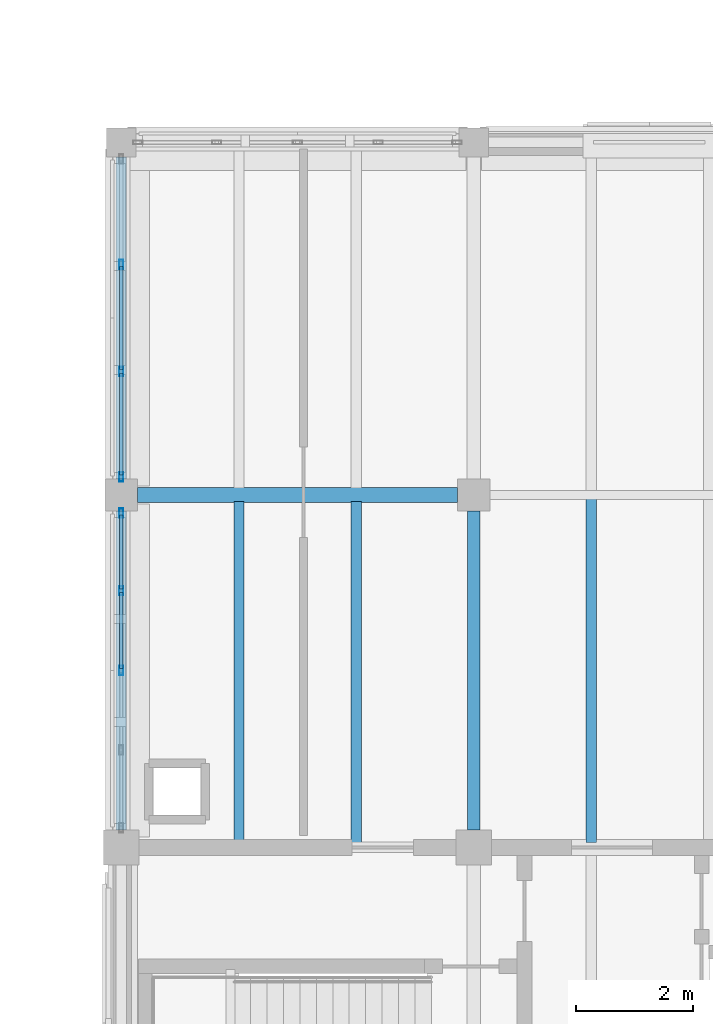
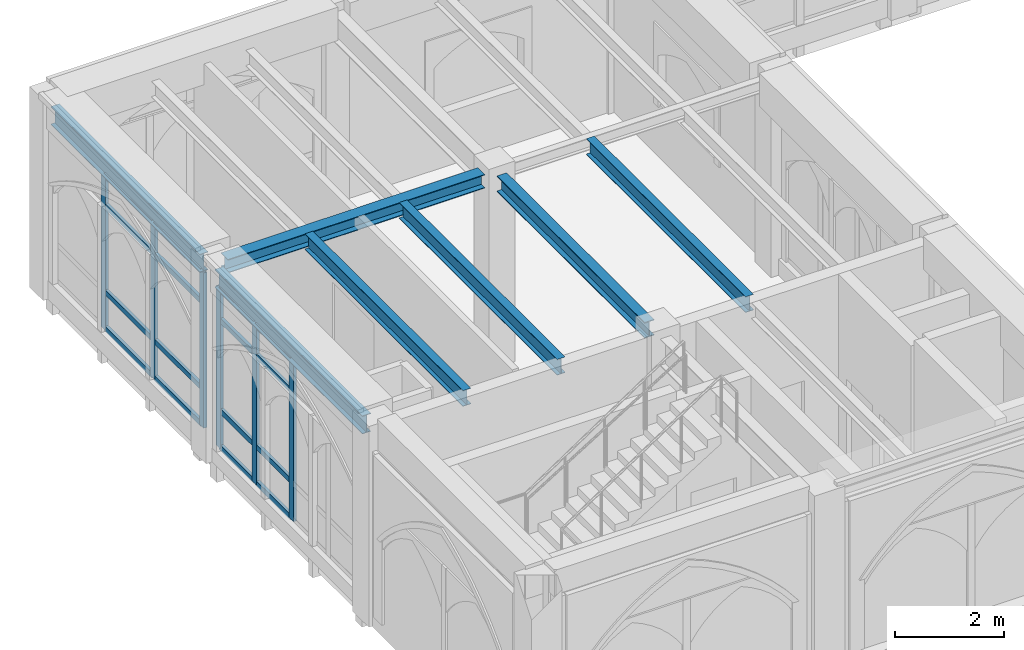
# One storey, part 18 of 143: 22 members, 7 beams, 2 elements without a shape of their own.
"""IFC4 building model written with IfcOpenShell, lengths in metres."""

from ifc_helpers import new_model, si_unit, direction, frame, origin, origin_2d, place, context, subcontext, project, spatial, hollow_rectangle, i_section, extrude, material, layer, layer_set, material_profile, profile_set, type_object, element, aggregate, save


model = new_model("IFC4")

# Units and contexts
model_context = context("Model", 3, precision=1e-05, world=origin(), true_north=direction((0.0, 1.0)))
body_context = subcontext(model_context, "Body", "Model", "MODEL_VIEW")
ifc_project = project(units=[si_unit("LENGTHUNIT", "METRE"), si_unit("AREAUNIT", "SQUARE_METRE"), si_unit("VOLUMEUNIT", "CUBIC_METRE"), si_unit("PLANEANGLEUNIT", "RADIAN"), si_unit("MASSUNIT", "GRAM", prefix="KILO")], contexts=[model_context])

# Site, building, storey
site_placement = place(None, origin())
site = spatial("IfcSite", under=ifc_project, at=site_placement, CompositionType="ELEMENT")
building_placement = place(site_placement, origin())
building = spatial("IfcBuilding", under=site, at=building_placement, Name="Cumevento Cable Car Station", CompositionType="ELEMENT")
storey_placement = place(building_placement, frame((0.0, 0.0, 9.0)))
storey = spatial("IfcBuildingStorey", under=building, at=storey_placement, Name="L03", CompositionType="ELEMENT", Elevation=9.0)

# Curtain wall, members
ifc_material_1 = material(Name="Anodised Bronze Aluminium AW-6063-T6", Category="aluminium")
ifc_layer_1 = layer(ifc_material_1, 0.22607421875)
ifc_layer_set_1 = layer_set([ifc_layer_1], Name="Anodised Bronze Aluminium AW-6063-T6")
curtain_wall_type_1 = type_object("IfcCurtainWallType", Name="Lancet Curtain Wall CW-12 1490", PredefinedType="NOTDEFINED", material=ifc_layer_set_1)
curtain_wall_1_placement = place(storey_placement, origin())
curtain_wall_1 = element("IfcCurtainWall", 1, at=curtain_wall_1_placement, inside=storey, type_object=curtain_wall_type_1, Name="Lancet Curtain Wall CW-12 L03 #91", PredefinedType="NOTDEFINED")
ifc_material_2 = material(Name="Anodised Bronze Aluminium AW-6063-T6", Category="aluminium")
ifc_material_profile_1 = material_profile(ifc_material_2, hollow_rectangle(XDim=0.06494140625, YDim=0.159912109375, WallThickness=0.00390625, at=origin_2d()), Name="ALUM65x160x4")
ifc_profile_set_1 = profile_set([ifc_material_profile_1], Name="Anodised Bronze Aluminium AW-6063-T6")
member_type_1 = type_object("IfcMemberType", Name="Curtain Mullion CWM-01 ALUM65x160x4", PredefinedType="MULLION", material=ifc_profile_set_1)
member_1_placement = place(storey_placement, frame((10.0, 36.012451171875, 0.31005859375), z_axis=(0.0, 0.0, 1.0), x_axis=(-1.0, 0.0, 0.0)))
member_1 = element("IfcMember", 2, at=member_1_placement, type_object=member_type_1, Name="CW-12 mullion 3", PredefinedType="MULLION", context=body_context, shape_type="SweptSolid", body=[
    extrude(hollow_rectangle(XDim=0.06494140625, YDim=0.159912109375, WallThickness=0.00390625, at=origin_2d()), origin(), (0.0, 0.0, 1.0), 3.5830078125),
])
member_2_placement = place(storey_placement, frame((10.0, 37.36865234375, 0.31005859375), z_axis=(0.0, 0.0, 1.0), x_axis=(-1.0, 0.0, 0.0)))
member_2 = element("IfcMember", 3, at=member_2_placement, type_object=member_type_1, Name="CW-12 mullion 4", PredefinedType="MULLION", context=body_context, shape_type="SweptSolid", body=[
    extrude(hollow_rectangle(XDim=0.06494140625, YDim=0.159912109375, WallThickness=0.00390625, at=origin_2d()), origin(), (0.0, 0.0, 1.0), 3.5830078125),
])
member_3_placement = place(storey_placement, frame((10.0, 38.6923828125, 0.31005859375), z_axis=(0.0, 0.0, 1.0), x_axis=(-1.0, 0.0, 0.0)))
member_3 = element("IfcMember", 4, at=member_3_placement, type_object=member_type_1, Name="CW-12 mullion 5", PredefinedType="MULLION", context=body_context, shape_type="SweptSolid", body=[
    extrude(hollow_rectangle(XDim=0.06494140625, YDim=0.159912109375, WallThickness=0.00390625, at=origin_2d()), origin(), (0.0, 0.0, 1.0), 3.5830078125),
])

ifc_material_3 = material(Name="Anodised Bronze Aluminium AW-6063-T6", Category="aluminium")
ifc_layer_2 = layer(ifc_material_3, 0.238037109375)
ifc_layer_set_2 = layer_set([ifc_layer_2], Name="Anodised Bronze Aluminium AW-6063-T6")
curtain_wall_type_2 = type_object("IfcCurtainWallType", Name="Lancet Curtain Wall CW-14 1570", PredefinedType="NOTDEFINED", material=ifc_layer_set_2)
curtain_wall_2_placement = place(storey_placement, origin())
curtain_wall_2 = element("IfcCurtainWall", 5, at=curtain_wall_2_placement, inside=storey, type_object=curtain_wall_type_2, Name="Lancet Curtain Wall CW-14 L03 #93", PredefinedType="NOTDEFINED")
member_4_placement = place(storey_placement, frame((10.0, 39.3076171875, 0.409912109375), z_axis=(0.0, 0.0, 1.0), x_axis=(-1.0, 0.0, 0.0)))
member_4 = element("IfcMember", 6, at=member_4_placement, type_object=member_type_1, Name="CW-14 mullion 1", PredefinedType="MULLION", context=body_context, shape_type="SweptSolid", body=[
    extrude(hollow_rectangle(XDim=0.06494140625, YDim=0.159912109375, WallThickness=0.00390625, at=origin_2d()), origin(), (0.0, 0.0, 1.0), 3.483154296875),
])
member_5_placement = place(storey_placement, frame((10.0, 41.10009765625, 0.409912109375), z_axis=(0.0, 0.0, 1.0), x_axis=(-1.0, 0.0, 0.0)))
member_5 = element("IfcMember", 7, at=member_5_placement, type_object=member_type_1, Name="CW-14 mullion 2", PredefinedType="MULLION", context=body_context, shape_type="SweptSolid", body=[
    extrude(hollow_rectangle(XDim=0.06494140625, YDim=0.159912109375, WallThickness=0.00390625, at=origin_2d()), origin(), (0.0, 0.0, 1.0), 3.483154296875),
])
member_6_placement = place(storey_placement, frame((10.0, 42.925048828125, 0.409912109375), z_axis=(0.0, 0.0, 1.0), x_axis=(-1.0, 0.0, 0.0)))
member_6 = element("IfcMember", 8, at=member_6_placement, type_object=member_type_1, Name="CW-14 mullion 3", PredefinedType="MULLION", context=body_context, shape_type="SweptSolid", body=[
    extrude(hollow_rectangle(XDim=0.06494140625, YDim=0.159912109375, WallThickness=0.00390625, at=origin_2d()), origin(), (0.0, 0.0, 1.0), 3.483154296875),
])

# Member
ifc_material_4 = material(Name="Anodised Bronze Aluminium AW-6063-T6", Category="aluminium")
ifc_material_profile_2 = material_profile(ifc_material_4, hollow_rectangle(XDim=0.06494140625, YDim=0.1201171875, WallThickness=0.00390625, at=origin_2d()), Name="ALUT65x120x4")
ifc_profile_set_2 = profile_set([ifc_material_profile_2], Name="Anodised Bronze Aluminium AW-6063-T6")
member_type_2 = type_object("IfcMemberType", Name="Curtain Transom CWT-01 ALUT65x120x4", PredefinedType="USERDEFINED", material=ifc_profile_set_2)
member_7_placement = place(storey_placement, frame((10.0, 36.044921875, 0.342529296875), z_axis=(0.0, 1.0, 0.0), x_axis=(-1.0, 0.0, 0.0)))
member_7 = element("IfcMember", 9, at=member_7_placement, type_object=member_type_2, Name="CW-12 transom 3.1", ObjectType="TRANSOM", PredefinedType="USERDEFINED", context=body_context, shape_type="SweptSolid", body=[
    extrude(hollow_rectangle(XDim=0.06494140625, YDim=0.1201171875, WallThickness=0.00390625, at=origin_2d()), origin(), (0.0, 0.0, 1.0), 1.291259765625),
])

member_8_placement = place(storey_placement, frame((10.0, 36.044921875, 1.159912109375), z_axis=(0.0, 1.0, 0.0), x_axis=(-1.0, 0.0, 0.0)))
member_8 = element("IfcMember", 10, at=member_8_placement, type_object=member_type_2, Name="CW-12 transom 3.2", ObjectType="TRANSOM", PredefinedType="USERDEFINED", context=body_context, shape_type="SweptSolid", body=[
    extrude(hollow_rectangle(XDim=0.06494140625, YDim=0.1201171875, WallThickness=0.00390625, at=origin_2d()), origin(), (0.0, 0.0, 1.0), 1.291259765625),
])

member_9_placement = place(storey_placement, frame((10.0, 36.044921875, 3.193115234375), z_axis=(0.0, 1.0, 0.0), x_axis=(-1.0, 0.0, 0.0)))
member_9 = element("IfcMember", 11, at=member_9_placement, type_object=member_type_2, Name="CW-12 transom 3.3", ObjectType="TRANSOM", PredefinedType="USERDEFINED", context=body_context, shape_type="SweptSolid", body=[
    extrude(hollow_rectangle(XDim=0.06494140625, YDim=0.1201171875, WallThickness=0.00390625, at=origin_2d()), origin(), (0.0, 0.0, 1.0), 1.291259765625),
])

member_10_placement = place(storey_placement, frame((10.0, 36.044921875, 3.860595703125), z_axis=(0.0, 1.0, 0.0), x_axis=(-1.0, 0.0, 0.0)))
member_10 = element("IfcMember", 12, at=member_10_placement, type_object=member_type_2, Name="CW-12 transom 3.4", ObjectType="TRANSOM", PredefinedType="USERDEFINED", context=body_context, shape_type="SweptSolid", body=[
    extrude(hollow_rectangle(XDim=0.06494140625, YDim=0.1201171875, WallThickness=0.00390625, at=origin_2d()), origin(), (0.0, 0.0, 1.0), 1.291259765625),
])

member_11_placement = place(storey_placement, frame((10.0, 37.4013671875, 0.342529296875), z_axis=(0.0, 1.0, 0.0), x_axis=(-1.0, 0.0, 0.0)))
member_11 = element("IfcMember", 13, at=member_11_placement, type_object=member_type_2, Name="CW-12 transom 4.1", ObjectType="TRANSOM", PredefinedType="USERDEFINED", context=body_context, shape_type="SweptSolid", body=[
    extrude(hollow_rectangle(XDim=0.06494140625, YDim=0.1201171875, WallThickness=0.00390625, at=origin_2d()), origin(), (0.0, 0.0, 1.0), 1.258544921875),
])

member_12_placement = place(storey_placement, frame((10.0, 37.4013671875, 1.159912109375), z_axis=(0.0, 1.0, 0.0), x_axis=(-1.0, 0.0, 0.0)))
member_12 = element("IfcMember", 14, at=member_12_placement, type_object=member_type_2, Name="CW-12 transom 4.2", ObjectType="TRANSOM", PredefinedType="USERDEFINED", context=body_context, shape_type="SweptSolid", body=[
    extrude(hollow_rectangle(XDim=0.06494140625, YDim=0.1201171875, WallThickness=0.00390625, at=origin_2d()), origin(), (0.0, 0.0, 1.0), 1.258544921875),
])

member_13_placement = place(storey_placement, frame((10.0, 37.4013671875, 3.193115234375), z_axis=(0.0, 1.0, 0.0), x_axis=(-1.0, 0.0, 0.0)))
member_13 = element("IfcMember", 15, at=member_13_placement, type_object=member_type_2, Name="CW-12 transom 4.3", ObjectType="TRANSOM", PredefinedType="USERDEFINED", context=body_context, shape_type="SweptSolid", body=[
    extrude(hollow_rectangle(XDim=0.06494140625, YDim=0.1201171875, WallThickness=0.00390625, at=origin_2d()), origin(), (0.0, 0.0, 1.0), 1.258544921875),
])

member_14_placement = place(storey_placement, frame((10.0, 37.4013671875, 3.860595703125), z_axis=(0.0, 1.0, 0.0), x_axis=(-1.0, 0.0, 0.0)))
member_14 = element("IfcMember", 16, at=member_14_placement, type_object=member_type_2, Name="CW-12 transom 4.4", ObjectType="TRANSOM", PredefinedType="USERDEFINED", context=body_context, shape_type="SweptSolid", body=[
    extrude(hollow_rectangle(XDim=0.06494140625, YDim=0.1201171875, WallThickness=0.00390625, at=origin_2d()), origin(), (0.0, 0.0, 1.0), 1.258544921875),
])

aggregate(curtain_wall_1, [member_1, member_2, member_3, member_7, member_8, member_9, member_10, member_11, member_12, member_13, member_14])

member_15_placement = place(storey_placement, frame((10.0, 39.340087890625, 0.4423828125), z_axis=(0.0, 1.0, 0.0), x_axis=(-1.0, 0.0, 0.0)))
member_15 = element("IfcMember", 17, at=member_15_placement, type_object=member_type_2, Name="CW-14 transom 1.1", ObjectType="TRANSOM", PredefinedType="USERDEFINED", context=body_context, shape_type="SweptSolid", body=[
    extrude(hollow_rectangle(XDim=0.06494140625, YDim=0.1201171875, WallThickness=0.00390625, at=origin_2d()), origin(), (0.0, 0.0, 1.0), 1.727294921875),
])

member_16_placement = place(storey_placement, frame((10.0, 39.340087890625, 1.260009765625), z_axis=(0.0, 1.0, 0.0), x_axis=(-1.0, 0.0, 0.0)))
member_16 = element("IfcMember", 18, at=member_16_placement, type_object=member_type_2, Name="CW-14 transom 1.2", ObjectType="TRANSOM", PredefinedType="USERDEFINED", context=body_context, shape_type="SweptSolid", body=[
    extrude(hollow_rectangle(XDim=0.06494140625, YDim=0.1201171875, WallThickness=0.00390625, at=origin_2d()), origin(), (0.0, 0.0, 1.0), 1.727294921875),
])

member_17_placement = place(storey_placement, frame((10.0, 39.340087890625, 3.193115234375), z_axis=(0.0, 1.0, 0.0), x_axis=(-1.0, 0.0, 0.0)))
member_17 = element("IfcMember", 19, at=member_17_placement, type_object=member_type_2, Name="CW-14 transom 1.3", ObjectType="TRANSOM", PredefinedType="USERDEFINED", context=body_context, shape_type="SweptSolid", body=[
    extrude(hollow_rectangle(XDim=0.06494140625, YDim=0.1201171875, WallThickness=0.00390625, at=origin_2d()), origin(), (0.0, 0.0, 1.0), 1.727294921875),
])

member_18_placement = place(storey_placement, frame((10.0, 39.340087890625, 3.860595703125), z_axis=(0.0, 1.0, 0.0), x_axis=(-1.0, 0.0, 0.0)))
member_18 = element("IfcMember", 20, at=member_18_placement, type_object=member_type_2, Name="CW-14 transom 1.4", ObjectType="TRANSOM", PredefinedType="USERDEFINED", context=body_context, shape_type="SweptSolid", body=[
    extrude(hollow_rectangle(XDim=0.06494140625, YDim=0.1201171875, WallThickness=0.00390625, at=origin_2d()), origin(), (0.0, 0.0, 1.0), 1.727294921875),
])

member_19_placement = place(storey_placement, frame((10.0, 41.132568359375, 0.4423828125), z_axis=(0.0, 1.0, 0.0), x_axis=(-1.0, 0.0, 0.0)))
member_19 = element("IfcMember", 21, at=member_19_placement, type_object=member_type_2, Name="CW-14 transom 2.1", ObjectType="TRANSOM", PredefinedType="USERDEFINED", context=body_context, shape_type="SweptSolid", body=[
    extrude(hollow_rectangle(XDim=0.06494140625, YDim=0.1201171875, WallThickness=0.00390625, at=origin_2d()), origin(), (0.0, 0.0, 1.0), 1.760009765625),
])

member_20_placement = place(storey_placement, frame((10.0, 41.132568359375, 1.260009765625), z_axis=(0.0, 1.0, 0.0), x_axis=(-1.0, 0.0, 0.0)))
member_20 = element("IfcMember", 22, at=member_20_placement, type_object=member_type_2, Name="CW-14 transom 2.2", ObjectType="TRANSOM", PredefinedType="USERDEFINED", context=body_context, shape_type="SweptSolid", body=[
    extrude(hollow_rectangle(XDim=0.06494140625, YDim=0.1201171875, WallThickness=0.00390625, at=origin_2d()), origin(), (0.0, 0.0, 1.0), 1.760009765625),
])

member_21_placement = place(storey_placement, frame((10.0, 41.132568359375, 3.193115234375), z_axis=(0.0, 1.0, 0.0), x_axis=(-1.0, 0.0, 0.0)))
member_21 = element("IfcMember", 23, at=member_21_placement, type_object=member_type_2, Name="CW-14 transom 2.3", ObjectType="TRANSOM", PredefinedType="USERDEFINED", context=body_context, shape_type="SweptSolid", body=[
    extrude(hollow_rectangle(XDim=0.06494140625, YDim=0.1201171875, WallThickness=0.00390625, at=origin_2d()), origin(), (0.0, 0.0, 1.0), 1.760009765625),
])

member_22_placement = place(storey_placement, frame((10.0, 41.132568359375, 3.860595703125), z_axis=(0.0, 1.0, 0.0), x_axis=(-1.0, 0.0, 0.0)))
member_22 = element("IfcMember", 24, at=member_22_placement, type_object=member_type_2, Name="CW-14 transom 2.4", ObjectType="TRANSOM", PredefinedType="USERDEFINED", context=body_context, shape_type="SweptSolid", body=[
    extrude(hollow_rectangle(XDim=0.06494140625, YDim=0.1201171875, WallThickness=0.00390625, at=origin_2d()), origin(), (0.0, 0.0, 1.0), 1.760009765625),
])

aggregate(curtain_wall_2, [member_4, member_5, member_6, member_15, member_16, member_17, member_18, member_19, member_20, member_21, member_22])

# Beams
ifc_material_5 = material(Name="Steel ASTM A572 Grade 50", Category="steel")
ifc_material_profile_3 = material_profile(ifc_material_5, i_section(OverallWidth=0.205078125, OverallDepth=0.35400390625, WebThickness=0.009521484375, FlangeThickness=0.016845703125, at=origin_2d()), Name="W360x79.0")
ifc_profile_set_3 = profile_set([ifc_material_profile_3], Name="Steel ASTM A572 Grade 50")
beam_type_1 = type_object("IfcBeamType", Name="Structural Beam BM-05 W360x79.0", PredefinedType="BEAM", material=ifc_profile_set_3)
beam_1_placement = place(storey_placement, frame((16.0, 33.300048828125, 4.123046875), z_axis=(0.0, 1.0, 0.0), x_axis=(-1.0, 0.0, 0.0)))
element("IfcBeam", 25, at=beam_1_placement, inside=storey, type_object=beam_type_1, Name="Beam BM-05 L03 #1017", PredefinedType="BEAM", context=body_context, shape_type="SweptSolid", body=[
    extrude(i_section(OverallWidth=0.205078125, OverallDepth=0.35400390625, WebThickness=0.009521484375, FlangeThickness=0.016845703125, at=origin_2d()), origin(), (0.0, 0.0, 1.0), 5.425048828125),
])
ifc_material_6 = material(Name="Steel ASTM A572 Grade 50", Category="steel")
ifc_material_profile_4 = material_profile(ifc_material_6, i_section(OverallWidth=0.25390625, OverallDepth=0.305908203125, WebThickness=0.0087890625, FlangeThickness=0.0146484375, at=origin_2d()), Name="W310x79.0")
ifc_profile_set_4 = profile_set([ifc_material_profile_4], Name="Steel ASTM A572 Grade 50")
beam_type_2 = type_object("IfcBeamType", Name="Structural Beam BM-06 W310x79.0", PredefinedType="BEAM", material=ifc_profile_set_4)
beam_2_placement = place(storey_placement, frame((10.27490234375, 39.0, 4.14697265625), z_axis=(1.0, 0.0, 0.0), x_axis=(0.0, 1.0, 0.0)))
element("IfcBeam", 26, at=beam_2_placement, inside=storey, type_object=beam_type_2, Name="Beam BM-06 L03 #1011", PredefinedType="BEAM", context=body_context, shape_type="SweptSolid", body=[
    extrude(i_section(OverallWidth=0.25390625, OverallDepth=0.305908203125, WebThickness=0.0087890625, FlangeThickness=0.0146484375, at=origin_2d()), origin(), (0.0, 0.0, 1.0), 5.4501953125),
])
ifc_material_7 = material(Name="Steel ASTM A572 Grade 50", Category="steel")
ifc_material_profile_5 = material_profile(ifc_material_7, i_section(OverallWidth=0.1708984375, OverallDepth=0.35498046875, WebThickness=0.007080078125, FlangeThickness=0.01171875, at=origin_2d()), Name="W360x51.0")
ifc_profile_set_5 = profile_set([ifc_material_profile_5], Name="Steel ASTM A572 Grade 50")
beam_type_3 = type_object("IfcBeamType", Name="Structural Joist JS-01 W360x51.0", PredefinedType="JOIST", material=ifc_profile_set_5)
for number, where, z_axis, x_axis, name in (
    (27, (12.0, 33.077880859375, 4.12255859375), (0.0, 1.0, 0.0), (-1.0, 0.0, 0.0), "Composite Floor Joist JS-01 L03 #1210"),
    (28, (14.0, 33.077880859375, 4.12255859375), (0.0, 1.0, 0.0), (-1.0, 0.0, 0.0), "Composite Floor Joist JS-01 L03 #1212"),
):
    element("IfcBeam", number, at=place(storey_placement, frame(where, z_axis=z_axis, x_axis=x_axis)), inside=storey, type_object=beam_type_3, Name=name, PredefinedType="JOIST", context=body_context, shape_type="SweptSolid", body=[
        extrude(i_section(OverallWidth=0.1708984375, OverallDepth=0.35498046875, WebThickness=0.007080078125, FlangeThickness=0.01171875, at=origin_2d()), origin(), (0.0, 0.0, 1.0), 5.80712890625),
    ])
beam_3_placement = place(storey_placement, frame((18.0, 33.083984375, 4.12255859375), z_axis=(0.0, 1.0, 0.0), x_axis=(-1.0, 0.0, 0.0)))
element("IfcBeam", 29, at=beam_3_placement, inside=storey, type_object=beam_type_3, Name="Composite Floor Joist JS-01 L03 #1214", PredefinedType="JOIST", context=body_context, shape_type="SweptSolid", body=[
    extrude(i_section(OverallWidth=0.1708984375, OverallDepth=0.35498046875, WebThickness=0.007080078125, FlangeThickness=0.01171875, at=origin_2d()), origin(), (0.0, 0.0, 1.0), 5.85400390625),
])
ifc_material_8 = material(Name="Steel ASTM A572 Grade 50", Category="steel")
ifc_material_profile_6 = material_profile(ifc_material_8, i_section(OverallWidth=0.177978515625, OverallDepth=0.406982421875, WebThickness=0.0078125, FlangeThickness=0.0126953125, at=origin_2d()), Name="W410x60.0")
ifc_profile_set_6 = profile_set([ifc_material_profile_6], Name="Steel ASTM A572 Grade 50")
beam_type_4 = type_object("IfcBeamType", Name="Structural Spandrel SP-01 W410x60.0", PredefinedType="SPANDREL", material=ifc_profile_set_6)
beam_4_placement = place(storey_placement, frame((10.0, 33.300048828125, 4.096435546875), z_axis=(0.0, 1.0, 0.0), x_axis=(-1.0, 0.0, 0.0)))
element("IfcBeam", 30, at=beam_4_placement, inside=storey, type_object=beam_type_4, Name="Beam SP-01 L03 #1015", PredefinedType="SPANDREL", context=body_context, shape_type="SweptSolid", body=[
    extrude(i_section(OverallWidth=0.177978515625, OverallDepth=0.406982421875, WebThickness=0.0078125, FlangeThickness=0.0126953125, at=origin_2d()), origin(), (0.0, 0.0, 1.0), 5.425048828125),
])
beam_5_placement = place(storey_placement, frame((10.0, 39.27490234375, 4.096435546875), z_axis=(0.0, 1.0, 0.0), x_axis=(-1.0, 0.0, 0.0)))
element("IfcBeam", 31, at=beam_5_placement, inside=storey, type_object=beam_type_4, Name="Beam SP-01 L03 #1016", PredefinedType="SPANDREL", context=body_context, shape_type="SweptSolid", body=[
    extrude(i_section(OverallWidth=0.177978515625, OverallDepth=0.406982421875, WebThickness=0.0078125, FlangeThickness=0.0126953125, at=origin_2d()), origin(), (0.0, 0.0, 1.0), 5.47509765625),
])

save(model, "model.ifc")
